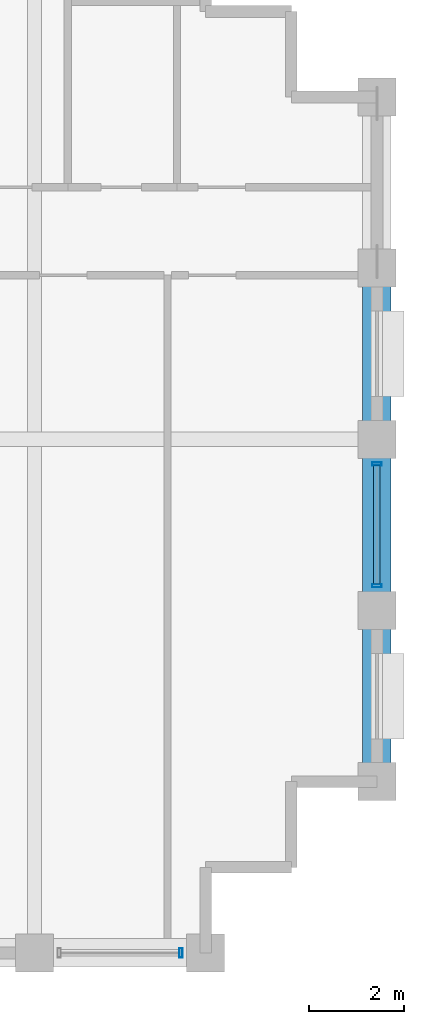
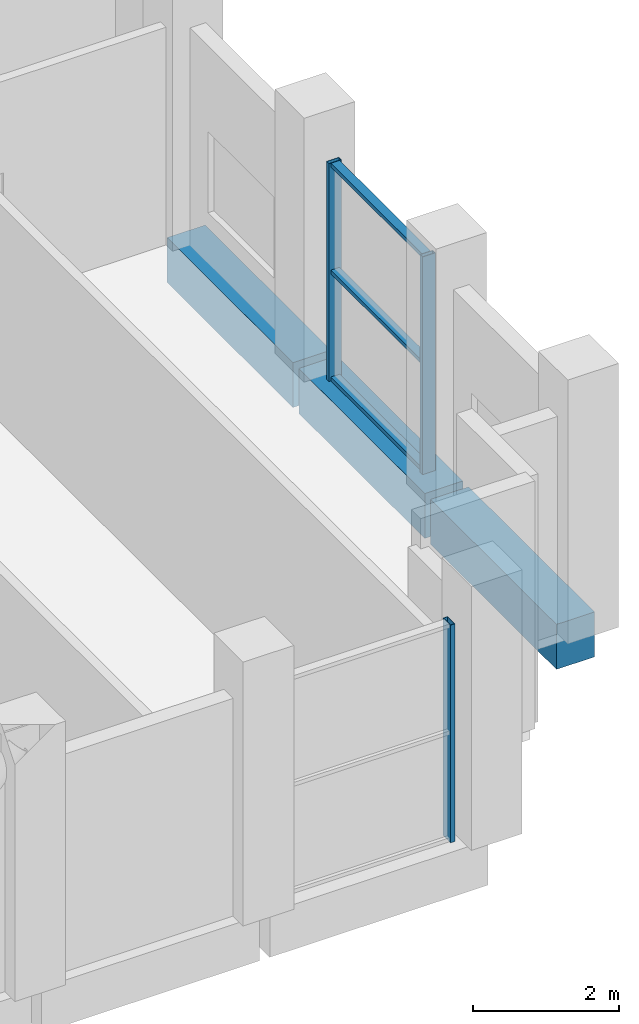
# One storey, part 10 of 18: 6 members, 3 beams, 2 elements without a shape of their own.
"""IFC4 building model written with IfcOpenShell, lengths in metres."""

from ifc_helpers import new_model, si_unit, direction, frame, origin, origin_2d, place, context, subcontext, project, spatial, rectangle, hollow_rectangle, extrude, material, layer, layer_set, material_profile, profile_set, type_object, element, aggregate, save


model = new_model("IFC4")

# Units and contexts
model_context = context("Model", 3, precision=1e-05, world=origin(), true_north=direction((0.0, 1.0)))
body_context = subcontext(model_context, "Body", "Model", "MODEL_VIEW")
ifc_project = project(units=[si_unit("LENGTHUNIT", "METRE"), si_unit("AREAUNIT", "SQUARE_METRE"), si_unit("VOLUMEUNIT", "CUBIC_METRE"), si_unit("PLANEANGLEUNIT", "RADIAN"), si_unit("MASSUNIT", "GRAM", prefix="KILO")], contexts=[model_context])

# Site, building, storey
site_placement = place(None, origin())
site = spatial("IfcSite", under=ifc_project, at=site_placement, CompositionType="ELEMENT")
building_placement = place(site_placement, origin())
building = spatial("IfcBuilding", under=site, at=building_placement, Name="Solnavia Interchange Tower", CompositionType="ELEMENT")
storey_placement = place(building_placement, frame((0.0, 0.0, 295.39990234375)))
storey = spatial("IfcBuildingStorey", under=building, at=storey_placement, Name="L75", CompositionType="ELEMENT", Elevation=295.39990234375)

# Beams
ifc_material_1 = material(Name="Concrete C50/60", Category="concrete")
ifc_material_profile_1 = material_profile(ifc_material_1, rectangle(XDim=0.60009765625, YDim=0.75, at=origin_2d()), Name="RC 600x750")
ifc_profile_set_1 = profile_set([ifc_material_profile_1], Name="Concrete C50/60")
beam_type = type_object("IfcBeamType", Name="Beam-Spandrel-RC600x750", PredefinedType="SPANDREL", material=ifc_profile_set_1)
beam_1_placement = place(storey_placement, frame((43.199951171875, 7.280029296875, -0.375), z_axis=(0.0, 1.0, 0.0), x_axis=(-1.0, 0.0, 0.0)))
element("IfcBeam", 1, at=beam_1_placement, inside=storey, type_object=beam_type, Name="SPB-L75-13 Framed-tube perimeter spandrel beam", PredefinedType="SPANDREL", context=body_context, shape_type="SweptSolid", body=[
    extrude(rectangle(XDim=0.60009765625, YDim=0.75, at=origin_2d()), origin(), (0.0, 0.0, 1.0), 3.43994140625),
])
beam_2_placement = place(storey_placement, frame((43.199951171875, 10.8798828125, -0.375), z_axis=(0.0, 1.0, 0.0), x_axis=(-1.0, 0.0, 0.0)))
element("IfcBeam", 2, at=beam_2_placement, inside=storey, type_object=beam_type, Name="SPB-L75-14 Framed-tube perimeter spandrel beam", PredefinedType="SPANDREL", context=body_context, shape_type="SweptSolid", body=[
    extrude(rectangle(XDim=0.60009765625, YDim=0.75, at=origin_2d()), origin(), (0.0, 0.0, 1.0), 3.440185546875),
])
beam_3_placement = place(storey_placement, frame((43.199951171875, 14.47998046875, -0.375), z_axis=(0.0, 1.0, 0.0), x_axis=(-1.0, 0.0, 0.0)))
element("IfcBeam", 3, at=beam_3_placement, inside=storey, type_object=beam_type, Name="SPB-L75-15 Framed-tube perimeter spandrel beam", PredefinedType="SPANDREL", context=body_context, shape_type="SweptSolid", body=[
    extrude(rectangle(XDim=0.60009765625, YDim=0.75, at=origin_2d()), origin(), (0.0, 0.0, 1.0), 3.43994140625),
])

# Curtain wall, member
ifc_material_2 = material(Name="Aluminium Alloy 6063-T6", Category="aluminium")
ifc_layer = layer(ifc_material_2, 0.219970703125)
ifc_layer_set = layer_set([ifc_layer], Name="Aluminium Alloy 6063-T6")
curtain_wall_type = type_object("IfcCurtainWallType", Name="CurtainWall-Tower-CTW3", PredefinedType="NOTDEFINED", material=ifc_layer_set)
curtain_wall_1_placement = place(storey_placement, origin())
curtain_wall_1 = element("IfcCurtainWall", 4, at=curtain_wall_1_placement, inside=storey, type_object=curtain_wall_type, Name="CTW-L75-S04 CTW-3 curtain wall", PredefinedType="NOTDEFINED")
ifc_material_profile_2 = material_profile(ifc_material_2, hollow_rectangle(XDim=0.070068359375, YDim=0.199951171875, WallThickness=0.0048828125, at=origin_2d()), Name="ALU 200x70x5")
ifc_profile_set_2 = profile_set([ifc_material_profile_2], Name="Aluminium Alloy 6063-T6")
member_type_1 = type_object("IfcMemberType", Name="CW-Mullion-CWM-3", PredefinedType="MULLION", material=ifc_profile_set_2)
member_1_placement = place(storey_placement, frame((39.080078125, 3.60009765625, 0.0), z_axis=(0.0, 0.0, 1.0), x_axis=(1.0, 0.0, 0.0)))
member_1 = element("IfcMember", 5, at=member_1_placement, type_object=member_type_1, Name="CTW-3 mullion 2", PredefinedType="MULLION", context=body_context, shape_type="SweptSolid", body=[
    extrude(hollow_rectangle(XDim=0.070068359375, YDim=0.199951171875, WallThickness=0.0048828125, at=origin_2d()), origin(), (0.0, 0.0, 1.0), 3.630126953125),
])
aggregate(curtain_wall_1, [member_1])

# Curtain wall, members
curtain_wall_2_placement = place(storey_placement, origin())
curtain_wall_2 = element("IfcCurtainWall", 6, at=curtain_wall_2_placement, inside=storey, type_object=curtain_wall_type, Name="CTW-L75-S10 CTW-3 curtain wall", PredefinedType="NOTDEFINED")
member_2_placement = place(storey_placement, frame((43.199951171875, 11.320068359375, 0.0), z_axis=(0.0, 0.0, 1.0), x_axis=(0.0, 1.0, 0.0)))
member_2 = element("IfcMember", 7, at=member_2_placement, type_object=member_type_1, Name="CTW-3 mullion 1", PredefinedType="MULLION", context=body_context, shape_type="SweptSolid", body=[
    extrude(hollow_rectangle(XDim=0.070068359375, YDim=0.199951171875, WallThickness=0.0048828125, at=origin_2d()), origin(), (0.0, 0.0, 1.0), 3.630126953125),
])
member_3_placement = place(storey_placement, frame((43.199951171875, 13.8798828125, 0.0), z_axis=(0.0, 0.0, 1.0), x_axis=(0.0, 1.0, 0.0)))
member_3 = element("IfcMember", 8, at=member_3_placement, type_object=member_type_1, Name="CTW-3 mullion 2", PredefinedType="MULLION", context=body_context, shape_type="SweptSolid", body=[
    extrude(hollow_rectangle(XDim=0.070068359375, YDim=0.199951171875, WallThickness=0.0048828125, at=origin_2d()), origin(), (0.0, 0.0, 1.0), 3.630126953125),
])
ifc_material_profile_3 = material_profile(ifc_material_2, hollow_rectangle(XDim=0.06494140625, YDim=0.139892578125, WallThickness=0.00390625, at=origin_2d()), Name="ALU 140x65x4")
ifc_profile_set_3 = profile_set([ifc_material_profile_3], Name="Aluminium Alloy 6063-T6")
member_type_2 = type_object("IfcMemberType", Name="CW-Transom-CWT-3", PredefinedType="USERDEFINED", material=ifc_profile_set_3)
member_4_placement = place(storey_placement, frame((43.199951171875, 11.35498046875, 0.03271484375), z_axis=(0.0, 1.0, 0.0), x_axis=(0.0, 0.0, 1.0)))
member_4 = element("IfcMember", 9, at=member_4_placement, type_object=member_type_2, Name="CTW-3 transom 1.1", ObjectType="TRANSOM", PredefinedType="USERDEFINED", context=body_context, shape_type="SweptSolid", body=[
    extrude(hollow_rectangle(XDim=0.06494140625, YDim=0.139892578125, WallThickness=0.00390625, at=origin_2d()), origin(), (0.0, 0.0, 1.0), 2.489990234375),
])
member_5_placement = place(storey_placement, frame((43.199951171875, 11.35498046875, 1.815185546875), z_axis=(0.0, 1.0, 0.0), x_axis=(0.0, 0.0, 1.0)))
member_5 = element("IfcMember", 10, at=member_5_placement, type_object=member_type_2, Name="CTW-3 transom 1.2", ObjectType="TRANSOM", PredefinedType="USERDEFINED", context=body_context, shape_type="SweptSolid", body=[
    extrude(hollow_rectangle(XDim=0.06494140625, YDim=0.139892578125, WallThickness=0.00390625, at=origin_2d()), origin(), (0.0, 0.0, 1.0), 2.489990234375),
])
member_6_placement = place(storey_placement, frame((43.199951171875, 11.35498046875, 3.59765625), z_axis=(0.0, 1.0, 0.0), x_axis=(0.0, 0.0, 1.0)))
member_6 = element("IfcMember", 11, at=member_6_placement, type_object=member_type_2, Name="CTW-3 transom 1.3", ObjectType="TRANSOM", PredefinedType="USERDEFINED", context=body_context, shape_type="SweptSolid", body=[
    extrude(hollow_rectangle(XDim=0.06494140625, YDim=0.139892578125, WallThickness=0.00390625, at=origin_2d()), origin(), (0.0, 0.0, 1.0), 2.489990234375),
])
aggregate(curtain_wall_2, [member_2, member_3, member_4, member_5, member_6])

save(model, "model.ifc")
